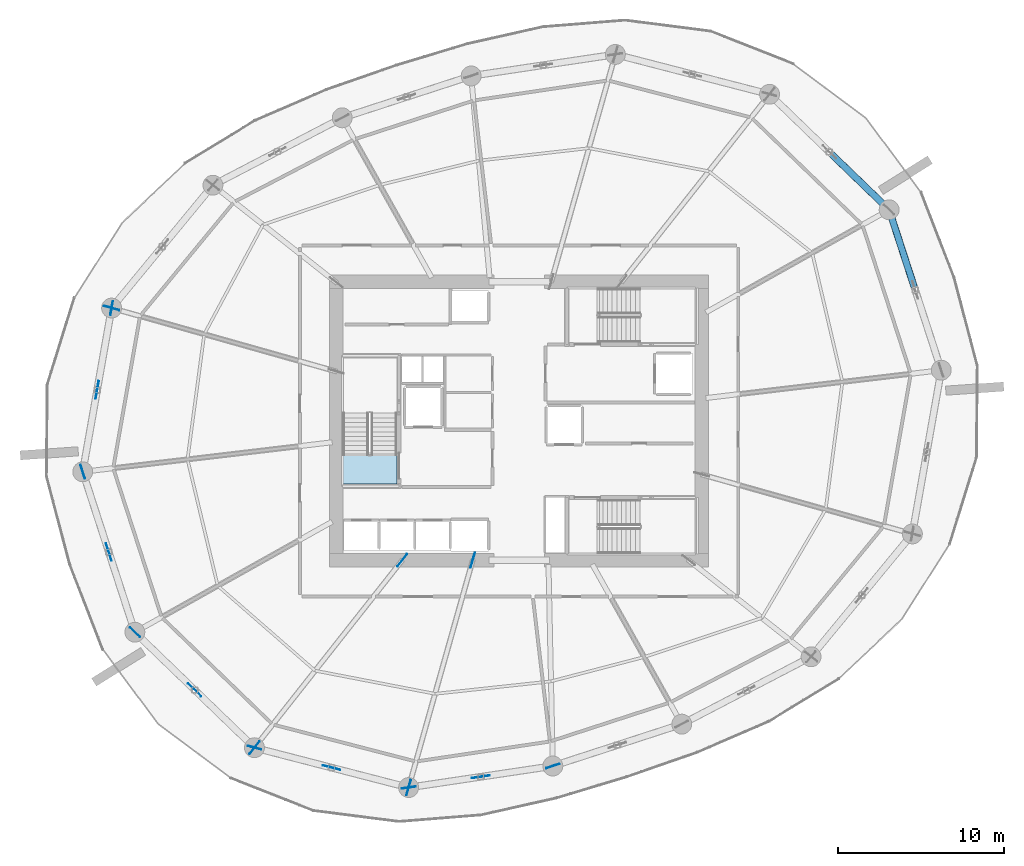
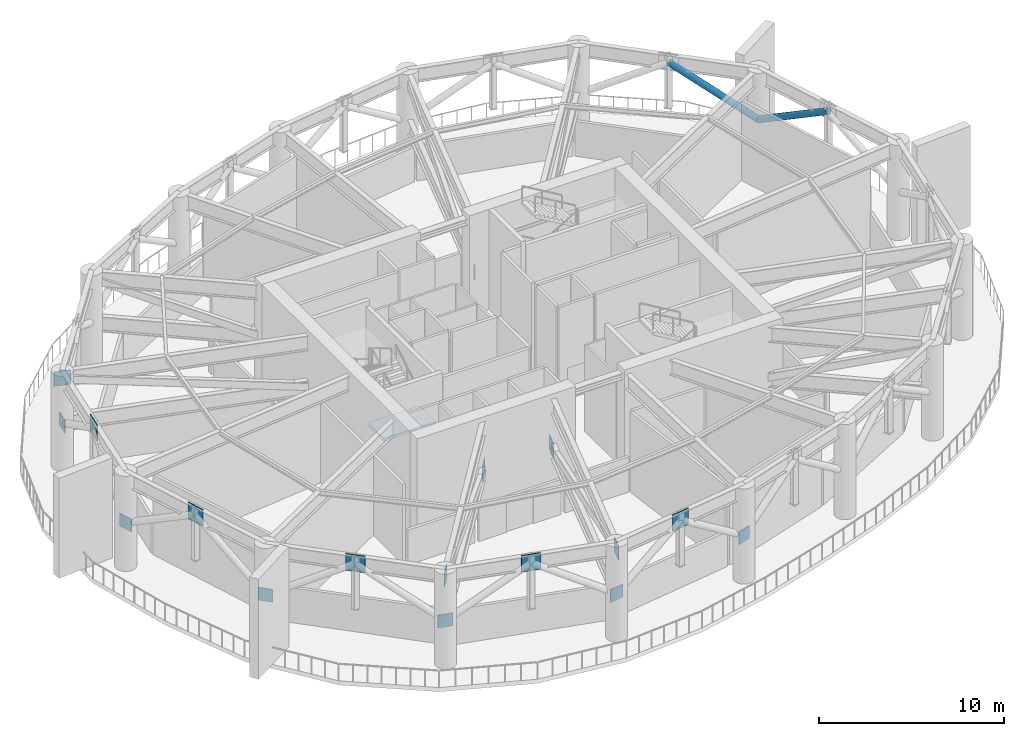
# One storey, part 8 of 19: 16 plates, 2 members, 1 slab, 1 element without a shape of its own.
"""IFC4 building model written with IfcOpenShell, lengths in metres."""

from ifc_helpers import new_model, si_unit, direction, frame, origin, origin_2d, place, context, subcontext, project, spatial, polyline, rectangle, hollow_circle, outline, extrude, material, layer, layer_set, material_profile, profile_set, type_object, element, aggregate, save


model = new_model("IFC4")

# Units and contexts
model_context = context("Model", 3, precision=1e-05, world=origin(), true_north=direction((0.0, 1.0)))
body_context = subcontext(model_context, "Body", "Model", "MODEL_VIEW")
ifc_project = project(units=[si_unit("LENGTHUNIT", "METRE"), si_unit("AREAUNIT", "SQUARE_METRE"), si_unit("VOLUMEUNIT", "CUBIC_METRE"), si_unit("PLANEANGLEUNIT", "RADIAN"), si_unit("MASSUNIT", "GRAM", prefix="KILO")], contexts=[model_context])

# Site, building, storey
site_placement = place(None, origin())
site = spatial("IfcSite", under=ifc_project, at=site_placement, CompositionType="ELEMENT")
building_placement = place(site_placement, origin())
building = spatial("IfcBuilding", under=site, at=building_placement, Name="Kazma Halo Residences", CompositionType="ELEMENT")
storey_placement = place(building_placement, frame((0.0, 0.0, 116.39990234375)))
storey = spatial("IfcBuildingStorey", under=building, at=storey_placement, Name="L29", CompositionType="ELEMENT", Elevation=116.39990234375)

# Members
ifc_material_1 = material(Name="Steel S355", Category="steel")
ifc_material_profile = material_profile(ifc_material_1, hollow_circle(Radius=0.203125, WallThickness=0.01611328125, at=origin_2d()), Name="CHS406.4x16")
ifc_profile_set = profile_set([ifc_material_profile], Name="Steel S355")
member_type = type_object("IfcMemberType", Name="MBR-WIND-CHS406", PredefinedType="BRACE", material=ifc_profile_set)
member_1_placement = place(storey_placement, frame((70.7529296875, 54.7421875, 2.820068359375), z_axis=(-0.620589977388, 0.599255490786, 0.50572812531), x_axis=(-0.69463360751, -0.719363712817, 0.0)))
element("IfcMember", 1, at=member_1_placement, inside=storey, type_object=member_type, Name="L29 belt-truss chevron diagonal 01A", PredefinedType="BRACE", context=body_context, shape_type="SweptSolid", body=[
    extrude(hollow_circle(Radius=0.203125, WallThickness=0.01611328125, at=origin_2d()), origin(), (0.0, 0.0, 1.0), 5.813232421875),
])
member_2_placement = place(storey_placement, frame((70.7529296875, 54.7421875, 2.820068359375), z_axis=(0.267573471179, -0.823453202687, 0.500329152165), x_axis=(0.951050641667, 0.309035074037, 0.0)))
element("IfcMember", 2, at=member_2_placement, inside=storey, type_object=member_type, Name="L29 belt-truss chevron diagonal 16B", PredefinedType="BRACE", context=body_context, shape_type="SweptSolid", body=[
    extrude(hollow_circle(Radius=0.203125, WallThickness=0.01611328125, at=origin_2d()), origin(), (0.0, 0.0, 1.0), 5.8759765625),
])

# Plates
ifc_layer_1 = layer(ifc_material_1, 0.0400390625)
ifc_layer_set_1 = layer_set([ifc_layer_1], Name="Steel S355")
plate_type = type_object("IfcPlateType", Name="PLT-GUSSET-40", PredefinedType="SHEET", material=ifc_layer_set_1)
plate_1_placement = place(storey_placement, frame((22.9736328125, 43.873779296875, 5.2099609375), z_axis=(0.0, 0.0, 1.0), x_axis=(-0.173659066943, -0.984805832877, 0.0)))
element("IfcPlate", 3, at=plate_1_placement, inside=storey, type_object=plate_type, Name="L29 belt-truss apex gusset plate 07", PredefinedType="SHEET", context=body_context, shape_type="SweptSolid", body=[
    extrude(rectangle(XDim=1.10009765625, YDim=0.0400390625, at=origin_2d()), origin(), (0.0, 0.0, 1.0), 1.10009765625),
])
plate_2_placement = place(storey_placement, frame((23.844482421875, 48.8125, 2.39501953125), z_axis=(0.0, 0.0, 1.0), x_axis=(-0.173659066943, -0.984805832877, 0.0)))
element("IfcPlate", 4, at=plate_2_placement, inside=storey, type_object=plate_type, Name="L29 belt-truss column gusset plate 07", PredefinedType="SHEET", context=body_context, shape_type="SweptSolid", body=[
    extrude(rectangle(XDim=0.85009765625, YDim=0.0400390625, at=origin_2d()), origin(), (0.0, 0.0, 1.0), 0.85009765625),
])
plate_3_placement = place(storey_placement, frame((23.6748046875, 34.096435546875, 5.2099609375), z_axis=(0.0, 0.0, 1.0), x_axis=(0.309018737376, -0.951055949958, 0.0)))
element("IfcPlate", 5, at=plate_3_placement, inside=storey, type_object=plate_type, Name="L29 belt-truss apex gusset plate 08", PredefinedType="SHEET", context=body_context, shape_type="SweptSolid", body=[
    extrude(rectangle(XDim=1.10009765625, YDim=0.0400390625, at=origin_2d()), origin(), (0.0, 0.0, 1.0), 1.10009765625),
])
plate_4_placement = place(storey_placement, frame((22.102783203125, 38.934814453125, 2.39501953125), z_axis=(0.0, 0.0, 1.0), x_axis=(0.309018737376, -0.951055949958, 0.0)))
element("IfcPlate", 6, at=plate_4_placement, inside=storey, type_object=plate_type, Name="L29 belt-truss column gusset plate 08", PredefinedType="SHEET", context=body_context, shape_type="SweptSolid", body=[
    extrude(rectangle(XDim=0.85009765625, YDim=0.0400390625, at=origin_2d()), origin(), (0.0, 0.0, 1.0), 0.85009765625),
])
plate_5_placement = place(storey_placement, frame((28.8544921875, 25.77392578125, 5.2099609375), z_axis=(0.0, 0.0, 1.0), x_axis=(0.719341846867, -0.69465625121, 0.0)))
element("IfcPlate", 7, at=plate_5_placement, inside=storey, type_object=plate_type, Name="L29 belt-truss apex gusset plate 09", PredefinedType="SHEET", context=body_context, shape_type="SweptSolid", body=[
    extrude(rectangle(XDim=1.10009765625, YDim=0.0400390625, at=origin_2d()), origin(), (0.0, 0.0, 1.0), 1.10009765625),
])
plate_6_placement = place(storey_placement, frame((25.2470703125, 29.2578125, 2.39501953125), z_axis=(0.0, 0.0, 1.0), x_axis=(0.719341846867, -0.69465625121, 0.0)))
element("IfcPlate", 8, at=plate_6_placement, inside=storey, type_object=plate_type, Name="L29 belt-truss column gusset plate 09", PredefinedType="SHEET", context=body_context, shape_type="SweptSolid", body=[
    extrude(rectangle(XDim=0.85009765625, YDim=0.0400390625, at=origin_2d()), origin(), (0.0, 0.0, 1.0), 0.85009765625),
])
plate_7_placement = place(storey_placement, frame((37.112548828125, 21.087158203125, 5.2099609375), z_axis=(0.0, 0.0, 1.0), x_axis=(0.968126765452, -0.250460707529, 0.0)))
element("IfcPlate", 9, at=plate_7_placement, inside=storey, type_object=plate_type, Name="L29 belt-truss apex gusset plate 10", PredefinedType="SHEET", context=body_context, shape_type="SweptSolid", body=[
    extrude(rectangle(XDim=1.10009765625, YDim=0.0400390625, at=origin_2d()), origin(), (0.0, 0.0, 1.0), 1.10009765625),
])
plate_8_placement = place(storey_placement, frame((32.462158203125, 22.290283203125, 2.39501953125), z_axis=(0.0, 0.0, 1.0), x_axis=(0.968126765452, -0.250460707529, 0.0)))
element("IfcPlate", 10, at=plate_8_placement, inside=storey, type_object=plate_type, Name="L29 belt-truss column gusset plate 10", PredefinedType="SHEET", context=body_context, shape_type="SweptSolid", body=[
    extrude(rectangle(XDim=0.85009765625, YDim=0.0400390625, at=origin_2d()), origin(), (0.0, 0.0, 1.0), 0.85009765625),
])
plate_9_placement = place(storey_placement, frame((46.11328125, 20.53369140625, 5.2099609375), z_axis=(0.0, 0.0, 1.0), x_axis=(0.989035596895, 0.147677310627, 0.0)))
element("IfcPlate", 11, at=plate_9_placement, inside=storey, type_object=plate_type, Name="L29 belt-truss apex gusset plate 11", PredefinedType="SHEET", context=body_context, shape_type="SweptSolid", body=[
    extrude(rectangle(XDim=1.10009765625, YDim=0.0400390625, at=origin_2d()), origin(), (0.0, 0.0, 1.0), 1.10009765625),
])
for number, where, z_axis, x_axis, name in (
    (12, (41.7626953125, 19.88427734375, 2.39501953125), (0.0, 0.0, 1.0), (0.989035596895, 0.147677310627, 0.0), "L29 belt-truss column gusset plate 11"),
    (13, (50.4638671875, 21.183349609375, 2.39501953125), (0.0, 0.0, 1.0), (0.951053654169, 0.309025802956, 0.0), "L29 belt-truss column gusset plate 12"),
):
    element("IfcPlate", number, at=place(storey_placement, frame(where, z_axis=z_axis, x_axis=x_axis)), inside=storey, type_object=plate_type, Name=name, PredefinedType="SHEET", context=body_context, shape_type="SweptSolid", body=[
        extrude(rectangle(XDim=0.85009765625, YDim=0.0400390625, at=origin_2d()), origin(), (0.0, 0.0, 1.0), 0.85009765625),
    ])
for number, where, z_axis, x_axis, name in (
    (14, (23.844482421875, 48.8125, 5.28515625), (0.0, 0.0, 1.0), (-0.962455573827, 0.271439253628, 0.0), "L29 outrigger perimeter gusset plate 04"),
    (15, (41.3779296875, 33.60009765625, 2.34521484375), (0.0, 0.0, 1.0), (-0.619091869175, -0.785318570723, 0.0), "L29 outrigger core gusset plate 05"),
    (16, (32.462158203125, 22.290283203125, 5.28515625), (0.0, 0.0, 1.0), (-0.619091869175, -0.785318570723, 0.0), "L29 outrigger perimeter gusset plate 05"),
    (17, (45.631103515625, 33.60009765625, 2.34521484375), (0.0, 0.0, 1.0), (-0.27144333158, -0.962454423721, 0.0), "L29 outrigger core gusset plate 06"),
    (18, (41.7626953125, 19.88427734375, 5.28515625), (0.0, 0.0, 1.0), (-0.27144333158, -0.962454423721, 0.0), "L29 outrigger perimeter gusset plate 06"),
):
    element("IfcPlate", number, at=place(storey_placement, frame(where, z_axis=z_axis, x_axis=x_axis)), inside=storey, type_object=plate_type, Name=name, PredefinedType="SHEET", context=body_context, shape_type="SweptSolid", body=[
        extrude(rectangle(XDim=0.949951171875, YDim=0.0400390625, at=origin_2d()), origin(), (0.0, 0.0, 1.0), 0.949951171875),
    ])

# Stair, slab
ifc_material_2 = material(Name="Concrete C50/60", Category="concrete")
stair_type = type_object("IfcStairType", Name="STR-CRWN", PredefinedType="HALF_TURN_STAIR", material=ifc_material_2)
stair_placement = place(storey_placement, origin())
stair = element("IfcStair", 19, at=stair_placement, inside=storey, type_object=stair_type, Name="L29 Core exit stair ST-01", PredefinedType="HALF_TURN_STAIR")
ifc_layer_2 = layer(ifc_material_2, 0.199951171875)
ifc_layer_set_2 = layer_set([ifc_layer_2], Name="Concrete C50/60")
slab_type = type_object("IfcSlabType", Name="SLB-STAIR-LND-200", PredefinedType="LANDING", material=ifc_layer_set_2)
slab_placement = place(storey_placement, frame((0.0, 0.0, 3.10009765625)))
slab = element("IfcSlab", 20, at=slab_placement, type_object=slab_type, Name="ST-01 landing 2", PredefinedType="LANDING", context=body_context, shape_type="SweptSolid", body=[
    extrude(outline(polyline([(41.050048828125, 38.199951171875), (41.050048828125, 39.949951171875), (37.800048828125, 39.949951171875), (37.800048828125, 38.199951171875), (41.050048828125, 38.199951171875)])), origin(), (0.0, 0.0, 1.0), 0.199951171875),
])
aggregate(stair, [slab])

save(model, "model.ifc")
